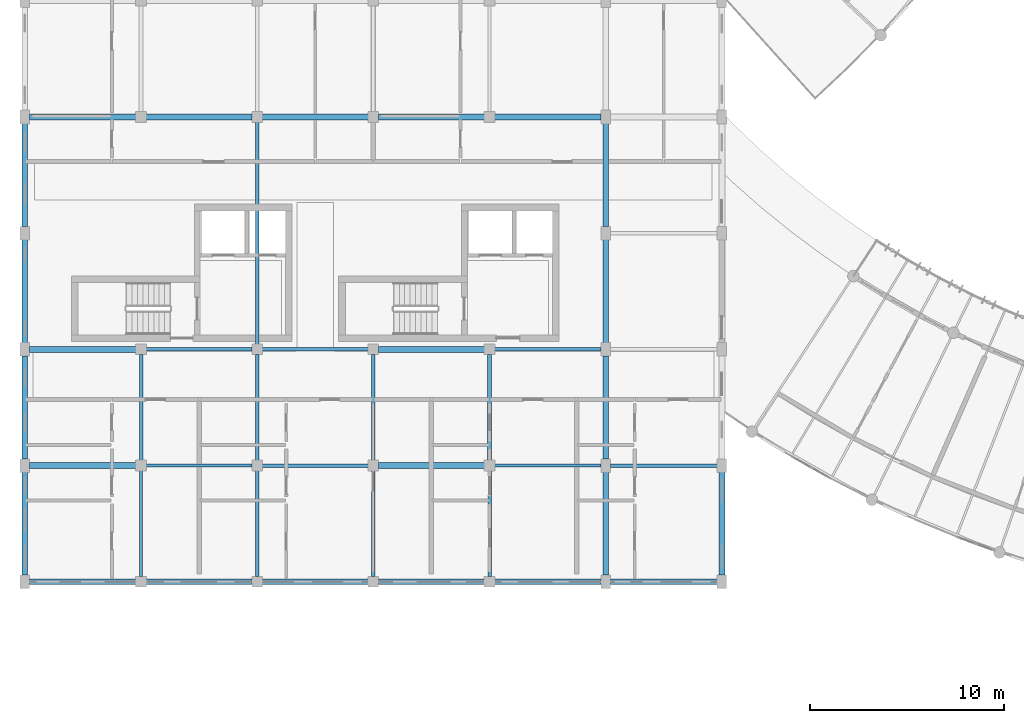
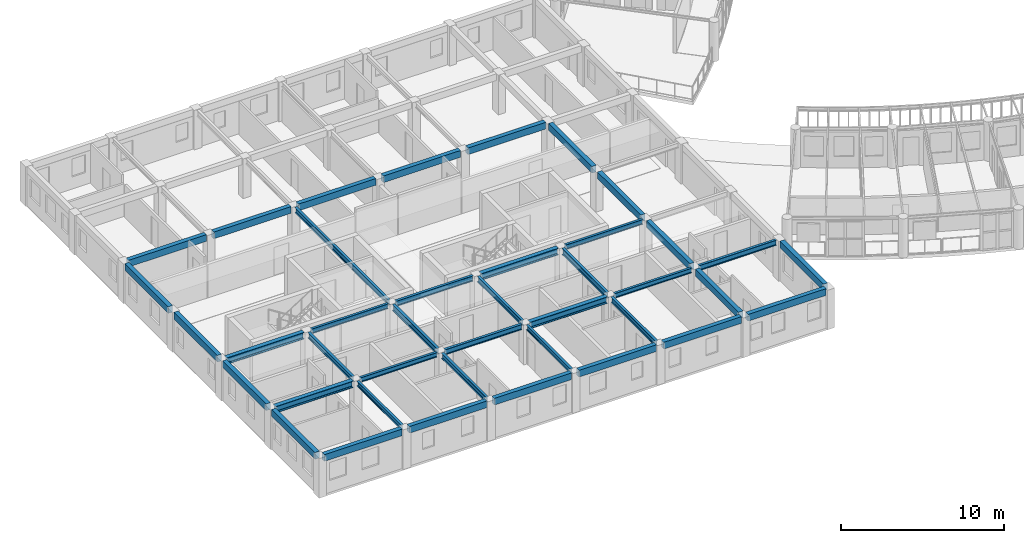
# One storey, part 3 of 101: 40 beams.
"""IFC4 building model written with IfcOpenShell, lengths in metres."""

from ifc_helpers import new_model, si_unit, direction, frame, origin, origin_2d, place, context, subcontext, project, spatial, rectangle, i_section, extrude, material, material_profile, profile_set, type_object, element, save


model = new_model("IFC4")

# Units and contexts
model_context = context("Model", 3, precision=1e-05, world=origin(), true_north=direction((0.0, 1.0)))
body_context = subcontext(model_context, "Body", "Model", "MODEL_VIEW")
ifc_project = project(units=[si_unit("LENGTHUNIT", "METRE"), si_unit("AREAUNIT", "SQUARE_METRE"), si_unit("VOLUMEUNIT", "CUBIC_METRE"), si_unit("PLANEANGLEUNIT", "RADIAN"), si_unit("MASSUNIT", "GRAM", prefix="KILO"), si_unit("POWERUNIT", "WATT"), si_unit("THERMODYNAMICTEMPERATUREUNIT", "KELVIN")], contexts=[model_context])

# Site, building, storey
site_placement = place(None, origin())
site = spatial("IfcSite", under=ifc_project, at=site_placement, CompositionType="ELEMENT")
building_placement = place(site_placement, origin())
building = spatial("IfcBuilding", under=site, at=building_placement, Name="Ruvembo Vaulted Housing Court", CompositionType="ELEMENT")
storey_placement = place(building_placement, frame((0.0, 0.0, 17.300048828125)))
storey = spatial("IfcBuildingStorey", under=building, at=storey_placement, Name="L05", CompositionType="ELEMENT", Elevation=17.300048828125)

# Beams
ifc_material_1 = material(Name="Steel S355J2", Category="steel")
ifc_material_profile_1 = material_profile(ifc_material_1, i_section(OverallWidth=0.300048828125, OverallDepth=0.5, WebThickness=0.014404296875, FlangeThickness=0.028076171875, FilletRadius=0.027099609375, at=origin_2d()), Name="HEB 320")
ifc_profile_set_1 = profile_set([ifc_material_profile_1], Name="Steel S355J2")
beam_type_1 = type_object("IfcBeamType", Name="BM-ST-HEB320", PredefinedType="BEAM", material=ifc_profile_set_1)
beam_1_placement = place(storey_placement, frame((0.235107421875, 12.0, 2.676025390625), z_axis=(1.0, 0.0, 0.0), x_axis=(0.0, 1.0, 0.0)))
element("IfcBeam", 1, at=beam_1_placement, inside=storey, type_object=beam_type_1, Name="L05 Grid Beam X #2303", PredefinedType="BEAM", context=body_context, shape_type="SweptSolid", body=[
    extrude(i_section(OverallWidth=0.300048828125, OverallDepth=0.5, WebThickness=0.014404296875, FlangeThickness=0.028076171875, FilletRadius=0.027099609375, at=origin_2d()), origin(), (0.0, 0.0, 1.0), 5.5048828125),
])
beam_2_placement = place(storey_placement, frame((18.260009765625, 12.0, 2.676025390625), z_axis=(1.0, 0.0, 0.0), x_axis=(0.0, 1.0, 0.0)))
element("IfcBeam", 2, at=beam_2_placement, inside=storey, type_object=beam_type_1, Name="L05 Grid Beam X #2306", PredefinedType="BEAM", context=body_context, shape_type="SweptSolid", body=[
    extrude(i_section(OverallWidth=0.300048828125, OverallDepth=0.5, WebThickness=0.014404296875, FlangeThickness=0.028076171875, FilletRadius=0.027099609375, at=origin_2d()), origin(), (0.0, 0.0, 1.0), 5.47998046875),
])
beam_3_placement = place(storey_placement, frame((0.235107421875, 18.0, 2.676025390625), z_axis=(1.0, 0.0, 0.0), x_axis=(0.0, 1.0, 0.0)))
element("IfcBeam", 3, at=beam_3_placement, inside=storey, type_object=beam_type_1, Name="L05 Grid Beam X #2315", PredefinedType="BEAM", context=body_context, shape_type="SweptSolid", body=[
    extrude(i_section(OverallWidth=0.300048828125, OverallDepth=0.5, WebThickness=0.014404296875, FlangeThickness=0.028076171875, FilletRadius=0.027099609375, at=origin_2d()), origin(), (0.0, 0.0, 1.0), 5.5048828125),
])
beam_4_placement = place(storey_placement, frame((18.260009765625, 18.0, 2.676025390625), z_axis=(1.0, 0.0, 0.0), x_axis=(0.0, 1.0, 0.0)))
element("IfcBeam", 4, at=beam_4_placement, inside=storey, type_object=beam_type_1, Name="L05 Grid Beam X #2318", PredefinedType="BEAM", context=body_context, shape_type="SweptSolid", body=[
    extrude(i_section(OverallWidth=0.300048828125, OverallDepth=0.5, WebThickness=0.014404296875, FlangeThickness=0.028076171875, FilletRadius=0.027099609375, at=origin_2d()), origin(), (0.0, 0.0, 1.0), 5.47998046875),
])
ifc_material_profile_2 = material_profile(ifc_material_1, i_section(OverallWidth=0.169921875, OverallDepth=0.360107421875, WebThickness=0.008056640625, FlangeThickness=0.0126953125, FilletRadius=0.01806640625, at=origin_2d()), Name="IPE 360")
ifc_profile_set_2 = profile_set([ifc_material_profile_2], Name="Steel S355J2")
beam_type_2 = type_object("IfcBeamType", Name="BM-ST-IPE360", PredefinedType="BEAM", material=ifc_profile_set_2)
beam_5_placement = place(storey_placement, frame((6.260009765625, 12.0, 2.745849609375), z_axis=(1.0, 0.0, 0.0), x_axis=(0.0, 1.0, 0.0)))
element("IfcBeam", 5, at=beam_5_placement, inside=storey, type_object=beam_type_2, Name="L05 Grid Beam X #2304", PredefinedType="BEAM", context=body_context, shape_type="SweptSolid", body=[
    extrude(i_section(OverallWidth=0.169921875, OverallDepth=0.360107421875, WebThickness=0.008056640625, FlangeThickness=0.0126953125, FilletRadius=0.01806640625, at=origin_2d()), origin(), (0.0, 0.0, 1.0), 5.47998046875),
])
beam_6_placement = place(storey_placement, frame((24.260009765625, 12.0, 2.745849609375), z_axis=(1.0, 0.0, 0.0), x_axis=(0.0, 1.0, 0.0)))
element("IfcBeam", 6, at=beam_6_placement, inside=storey, type_object=beam_type_2, Name="L05 Grid Beam X #2307", PredefinedType="BEAM", context=body_context, shape_type="SweptSolid", body=[
    extrude(i_section(OverallWidth=0.169921875, OverallDepth=0.360107421875, WebThickness=0.008056640625, FlangeThickness=0.0126953125, FilletRadius=0.01806640625, at=origin_2d()), origin(), (0.0, 0.0, 1.0), 5.5048828125),
])
beam_7_placement = place(storey_placement, frame((6.260009765625, 18.0, 2.745849609375), z_axis=(1.0, 0.0, 0.0), x_axis=(0.0, 1.0, 0.0)))
element("IfcBeam", 7, at=beam_7_placement, inside=storey, type_object=beam_type_2, Name="L05 Grid Beam X #2316", PredefinedType="BEAM", context=body_context, shape_type="SweptSolid", body=[
    extrude(i_section(OverallWidth=0.169921875, OverallDepth=0.360107421875, WebThickness=0.008056640625, FlangeThickness=0.0126953125, FilletRadius=0.01806640625, at=origin_2d()), origin(), (0.0, 0.0, 1.0), 5.47998046875),
])
beam_8_placement = place(storey_placement, frame((24.260009765625, 18.0, 2.745849609375), z_axis=(1.0, 0.0, 0.0), x_axis=(0.0, 1.0, 0.0)))
element("IfcBeam", 8, at=beam_8_placement, inside=storey, type_object=beam_type_2, Name="L05 Grid Beam X #2319", PredefinedType="BEAM", context=body_context, shape_type="SweptSolid", body=[
    extrude(i_section(OverallWidth=0.169921875, OverallDepth=0.360107421875, WebThickness=0.008056640625, FlangeThickness=0.0126953125, FilletRadius=0.01806640625, at=origin_2d()), origin(), (0.0, 0.0, 1.0), 5.5048828125),
])
for number, where, z_axis, x_axis, name in (
    (9, (6.0, 6.260009765625, 2.745849609375), (0.0, 1.0, 0.0), (-1.0, 0.0, 0.0), "L05 Grid Beam Y #2427"),
    (10, (18.0, 6.260009765625, 2.745849609375), (0.0, 1.0, 0.0), (-1.0, 0.0, 0.0), "L05 Grid Beam Y #2436"),
):
    element("IfcBeam", number, at=place(storey_placement, frame(where, z_axis=z_axis, x_axis=x_axis)), inside=storey, type_object=beam_type_2, Name=name, PredefinedType="BEAM", context=body_context, shape_type="SweptSolid", body=[
        extrude(i_section(OverallWidth=0.169921875, OverallDepth=0.360107421875, WebThickness=0.008056640625, FlangeThickness=0.0126953125, FilletRadius=0.01806640625, at=origin_2d()), origin(), (0.0, 0.0, 1.0), 5.47998046875),
    ])
ifc_material_profile_3 = material_profile(ifc_material_1, i_section(OverallWidth=0.179931640625, OverallDepth=0.39990234375, WebThickness=0.008544921875, FlangeThickness=0.013427734375, FilletRadius=0.02099609375, at=origin_2d()), Name="IPE 400")
ifc_profile_set_3 = profile_set([ifc_material_profile_3], Name="Steel S355J2")
beam_type_3 = type_object("IfcBeamType", Name="BM-ST-IPE400", PredefinedType="BEAM", material=ifc_profile_set_3)
beam_9_placement = place(storey_placement, frame((12.260009765625, 12.0, 2.725830078125), z_axis=(1.0, 0.0, 0.0), x_axis=(0.0, 1.0, 0.0)))
element("IfcBeam", 11, at=beam_9_placement, inside=storey, type_object=beam_type_3, Name="L05 Grid Beam X #2305", PredefinedType="BEAM", context=body_context, shape_type="SweptSolid", body=[
    extrude(i_section(OverallWidth=0.179931640625, OverallDepth=0.39990234375, WebThickness=0.008544921875, FlangeThickness=0.013427734375, FilletRadius=0.02099609375, at=origin_2d()), origin(), (0.0, 0.0, 1.0), 5.47998046875),
])
beam_10_placement = place(storey_placement, frame((30.235107421875, 12.0, 2.725830078125), z_axis=(1.0, 0.0, 0.0), x_axis=(0.0, 1.0, 0.0)))
element("IfcBeam", 12, at=beam_10_placement, inside=storey, type_object=beam_type_3, Name="L05 Grid Beam X #2308", PredefinedType="BEAM", context=body_context, shape_type="SweptSolid", body=[
    extrude(i_section(OverallWidth=0.179931640625, OverallDepth=0.39990234375, WebThickness=0.008544921875, FlangeThickness=0.013427734375, FilletRadius=0.02099609375, at=origin_2d()), origin(), (0.0, 0.0, 1.0), 5.52978515625),
])
for number, where, z_axis, x_axis, name in (
    (13, (12.260009765625, 18.0, 2.725830078125), (1.0, 0.0, 0.0), (0.0, 1.0, 0.0), "L05 Grid Beam X #2317"),
    (14, (6.0, 12.260009765625, 2.725830078125), (0.0, 1.0, 0.0), (-1.0, 0.0, 0.0), "L05 Grid Beam Y #2428"),
    (15, (12.0, 6.260009765625, 2.725830078125), (0.0, 1.0, 0.0), (-1.0, 0.0, 0.0), "L05 Grid Beam Y #2431"),
):
    element("IfcBeam", number, at=place(storey_placement, frame(where, z_axis=z_axis, x_axis=x_axis)), inside=storey, type_object=beam_type_3, Name=name, PredefinedType="BEAM", context=body_context, shape_type="SweptSolid", body=[
        extrude(i_section(OverallWidth=0.179931640625, OverallDepth=0.39990234375, WebThickness=0.008544921875, FlangeThickness=0.013427734375, FilletRadius=0.02099609375, at=origin_2d()), origin(), (0.0, 0.0, 1.0), 5.47998046875),
    ])
beam_11_placement = place(storey_placement, frame((12.0, 18.260009765625, 2.725830078125), z_axis=(0.0, 1.0, 0.0), x_axis=(-1.0, 0.0, 0.0)))
element("IfcBeam", 16, at=beam_11_placement, inside=storey, type_object=beam_type_3, Name="L05 Grid Beam Y #2433", PredefinedType="BEAM", context=body_context, shape_type="SweptSolid", body=[
    extrude(i_section(OverallWidth=0.179931640625, OverallDepth=0.39990234375, WebThickness=0.008544921875, FlangeThickness=0.013427734375, FilletRadius=0.02099609375, at=origin_2d()), origin(), (0.0, 0.0, 1.0), 11.47998046875),
])
for number, where, z_axis, x_axis, name in (
    (17, (18.0, 12.260009765625, 2.725830078125), (0.0, 1.0, 0.0), (-1.0, 0.0, 0.0), "L05 Grid Beam Y #2437"),
    (18, (24.0, 6.260009765625, 2.725830078125), (0.0, 1.0, 0.0), (-1.0, 0.0, 0.0), "L05 Grid Beam Y #2440"),
):
    element("IfcBeam", number, at=place(storey_placement, frame(where, z_axis=z_axis, x_axis=x_axis)), inside=storey, type_object=beam_type_3, Name=name, PredefinedType="BEAM", context=body_context, shape_type="SweptSolid", body=[
        extrude(i_section(OverallWidth=0.179931640625, OverallDepth=0.39990234375, WebThickness=0.008544921875, FlangeThickness=0.013427734375, FilletRadius=0.02099609375, at=origin_2d()), origin(), (0.0, 0.0, 1.0), 5.47998046875),
    ])
ifc_material_profile_4 = material_profile(ifc_material_1, i_section(OverallWidth=0.18994140625, OverallDepth=0.449951171875, WebThickness=0.009521484375, FlangeThickness=0.0146484375, FilletRadius=0.02099609375, at=origin_2d()), Name="IPE 450")
ifc_profile_set_4 = profile_set([ifc_material_profile_4], Name="Steel S355J2")
beam_type_4 = type_object("IfcBeamType", Name="BM-ST-IPE450", PredefinedType="BEAM", material=ifc_profile_set_4)
for number, where, z_axis, x_axis, name in (
    (19, (12.0, 12.260009765625, 2.700927734375), (0.0, 1.0, 0.0), (-1.0, 0.0, 0.0), "L05 Grid Beam Y #2432"),
    (20, (24.0, 12.260009765625, 2.700927734375), (0.0, 1.0, 0.0), (-1.0, 0.0, 0.0), "L05 Grid Beam Y #2441"),
):
    element("IfcBeam", number, at=place(storey_placement, frame(where, z_axis=z_axis, x_axis=x_axis)), inside=storey, type_object=beam_type_4, Name=name, PredefinedType="BEAM", context=body_context, shape_type="SweptSolid", body=[
        extrude(i_section(OverallWidth=0.18994140625, OverallDepth=0.449951171875, WebThickness=0.009521484375, FlangeThickness=0.0146484375, FilletRadius=0.02099609375, at=origin_2d()), origin(), (0.0, 0.0, 1.0), 5.47998046875),
    ])
ifc_material_2 = material(Name="Concrete C35/45", Category="concrete")
ifc_material_profile_5 = material_profile(ifc_material_2, rectangle(XDim=0.300048828125, YDim=0.5, at=origin_2d()), Name="RC 300x500")
ifc_profile_set_5 = profile_set([ifc_material_profile_5], Name="Concrete C35/45")
beam_type_5 = type_object("IfcBeamType", Name="SP-RC-300x500", PredefinedType="SPANDREL", material=ifc_profile_set_5)
beam_12_placement = place(storey_placement, frame((0.235107421875, 6.0, 2.71484375), z_axis=(1.0, 0.0, 0.0), x_axis=(0.0, 1.0, 0.0)))
element("IfcBeam", 21, at=beam_12_placement, inside=storey, type_object=beam_type_5, Name="L05 Grid Beam X #2291", PredefinedType="SPANDREL", context=body_context, shape_type="SweptSolid", body=[
    extrude(rectangle(XDim=0.300048828125, YDim=0.5, at=origin_2d()), origin(), (0.0, 0.0, 1.0), 5.5048828125),
])
for number, where, z_axis, x_axis, name in (
    (22, (6.260009765625, 6.0, 2.71484375), (1.0, 0.0, 0.0), (0.0, 1.0, 0.0), "L05 Grid Beam X #2292"),
    (23, (12.260009765625, 6.0, 2.71484375), (1.0, 0.0, 0.0), (0.0, 1.0, 0.0), "L05 Grid Beam X #2293"),
    (24, (18.260009765625, 6.0, 2.71484375), (1.0, 0.0, 0.0), (0.0, 1.0, 0.0), "L05 Grid Beam X #2294"),
):
    element("IfcBeam", number, at=place(storey_placement, frame(where, z_axis=z_axis, x_axis=x_axis)), inside=storey, type_object=beam_type_5, Name=name, PredefinedType="SPANDREL", context=body_context, shape_type="SweptSolid", body=[
        extrude(rectangle(XDim=0.300048828125, YDim=0.5, at=origin_2d()), origin(), (0.0, 0.0, 1.0), 5.47998046875),
    ])
beam_13_placement = place(storey_placement, frame((24.260009765625, 6.0, 2.71484375), z_axis=(1.0, 0.0, 0.0), x_axis=(0.0, 1.0, 0.0)))
element("IfcBeam", 25, at=beam_13_placement, inside=storey, type_object=beam_type_5, Name="L05 Grid Beam X #2295", PredefinedType="SPANDREL", context=body_context, shape_type="SweptSolid", body=[
    extrude(rectangle(XDim=0.300048828125, YDim=0.5, at=origin_2d()), origin(), (0.0, 0.0, 1.0), 5.5048828125),
])
beam_14_placement = place(storey_placement, frame((30.235107421875, 6.0, 2.71484375), z_axis=(1.0, 0.0, 0.0), x_axis=(0.0, 1.0, 0.0)))
element("IfcBeam", 26, at=beam_14_placement, inside=storey, type_object=beam_type_5, Name="L05 Grid Beam X #2296", PredefinedType="SPANDREL", context=body_context, shape_type="SweptSolid", body=[
    extrude(rectangle(XDim=0.300048828125, YDim=0.5, at=origin_2d()), origin(), (0.0, 0.0, 1.0), 5.52978515625),
])
beam_15_placement = place(storey_placement, frame((0.235107421875, 30.0, 2.71484375), z_axis=(1.0, 0.0, 0.0), x_axis=(0.0, 1.0, 0.0)))
element("IfcBeam", 27, at=beam_15_placement, inside=storey, type_object=beam_type_5, Name="L05 Grid Beam X #2329", PredefinedType="SPANDREL", context=body_context, shape_type="SweptSolid", body=[
    extrude(rectangle(XDim=0.300048828125, YDim=0.5, at=origin_2d()), origin(), (0.0, 0.0, 1.0), 5.5048828125),
])
for number, where, z_axis, x_axis, name in (
    (28, (6.260009765625, 30.0, 2.71484375), (1.0, 0.0, 0.0), (0.0, 1.0, 0.0), "L05 Grid Beam X #2330"),
    (29, (12.260009765625, 30.0, 2.71484375), (1.0, 0.0, 0.0), (0.0, 1.0, 0.0), "L05 Grid Beam X #2331"),
    (30, (18.260009765625, 30.0, 2.71484375), (1.0, 0.0, 0.0), (0.0, 1.0, 0.0), "L05 Grid Beam X #2332"),
):
    element("IfcBeam", number, at=place(storey_placement, frame(where, z_axis=z_axis, x_axis=x_axis)), inside=storey, type_object=beam_type_5, Name=name, PredefinedType="SPANDREL", context=body_context, shape_type="SweptSolid", body=[
        extrude(rectangle(XDim=0.300048828125, YDim=0.5, at=origin_2d()), origin(), (0.0, 0.0, 1.0), 5.47998046875),
    ])
beam_16_placement = place(storey_placement, frame((24.260009765625, 30.0, 2.71484375), z_axis=(1.0, 0.0, 0.0), x_axis=(0.0, 1.0, 0.0)))
element("IfcBeam", 31, at=beam_16_placement, inside=storey, type_object=beam_type_5, Name="L05 Grid Beam X #2333", PredefinedType="SPANDREL", context=body_context, shape_type="SweptSolid", body=[
    extrude(rectangle(XDim=0.300048828125, YDim=0.5, at=origin_2d()), origin(), (0.0, 0.0, 1.0), 5.5048828125),
])
for number, where, z_axis, x_axis, name in (
    (32, (0.0, 6.3349609375, 2.71484375), (0.0, 1.0, 0.0), (-1.0, 0.0, 0.0), "L05 Grid Beam Y #2421"),
    (33, (0.0, 12.3349609375, 2.71484375), (0.0, 1.0, 0.0), (-1.0, 0.0, 0.0), "L05 Grid Beam Y #2422"),
    (34, (0.0, 18.3349609375, 2.71484375), (0.0, 1.0, 0.0), (-1.0, 0.0, 0.0), "L05 Grid Beam Y #2423"),
    (35, (0.0, 24.3349609375, 2.71484375), (0.0, 1.0, 0.0), (-1.0, 0.0, 0.0), "L05 Grid Beam Y #2424"),
    (36, (30.0, 6.3349609375, 2.71484375), (0.0, 1.0, 0.0), (-1.0, 0.0, 0.0), "L05 Grid Beam Y #2444"),
    (37, (30.0, 12.3349609375, 2.71484375), (0.0, 1.0, 0.0), (-1.0, 0.0, 0.0), "L05 Grid Beam Y #2445"),
    (38, (30.0, 18.3349609375, 2.71484375), (0.0, 1.0, 0.0), (-1.0, 0.0, 0.0), "L05 Grid Beam Y #2446"),
    (39, (30.0, 24.3349609375, 2.71484375), (0.0, 1.0, 0.0), (-1.0, 0.0, 0.0), "L05 Grid Beam Y #2447"),
    (40, (36.0, 6.3349609375, 2.71484375), (0.0, 1.0, 0.0), (-1.0, 0.0, 0.0), "L05 Grid Beam Y #2450"),
):
    element("IfcBeam", number, at=place(storey_placement, frame(where, z_axis=z_axis, x_axis=x_axis)), inside=storey, type_object=beam_type_5, Name=name, PredefinedType="SPANDREL", context=body_context, shape_type="SweptSolid", body=[
        extrude(rectangle(XDim=0.300048828125, YDim=0.5, at=origin_2d()), origin(), (0.0, 0.0, 1.0), 5.330078125),
    ])

save(model, "model.ifc")
